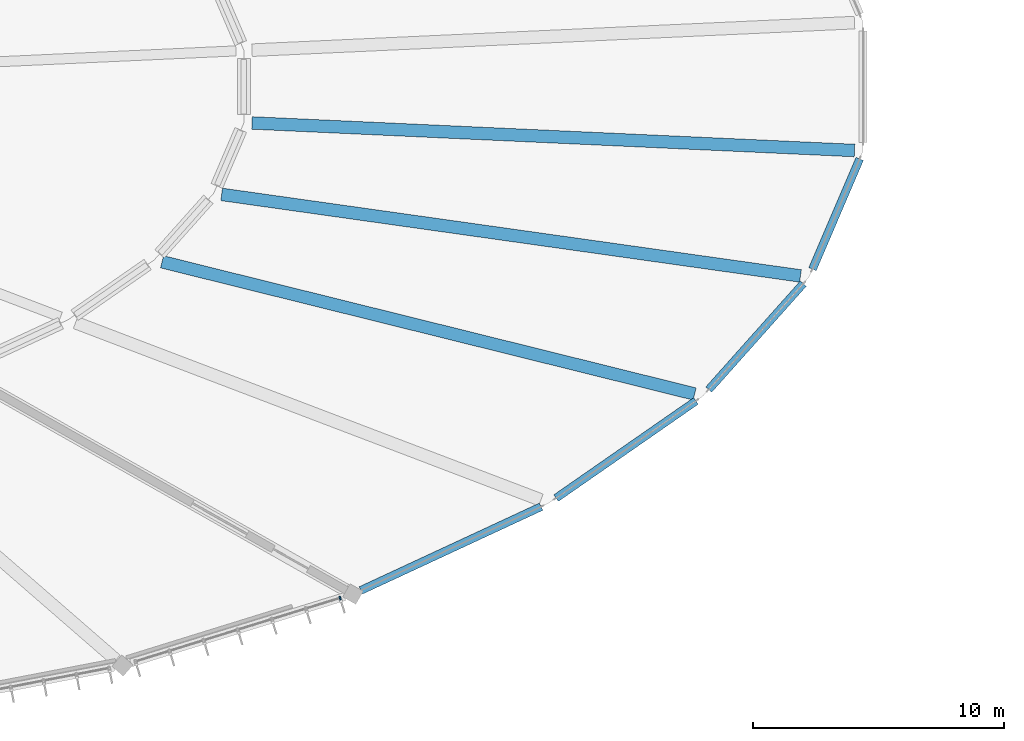
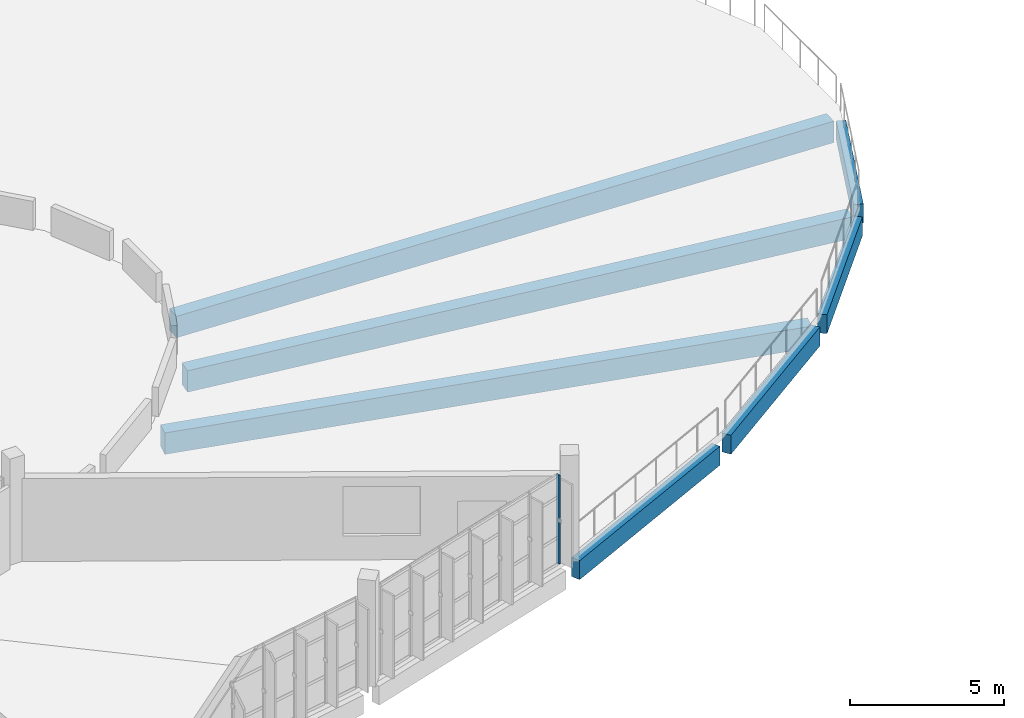
# One storey, part 63 of 142: 7 beams, 1 member, 1 element without a shape of its own.
"""IFC4 building model written with IfcOpenShell, lengths in metres."""

from ifc_helpers import new_model, si_unit, direction, frame, origin, origin_2d, place, context, subcontext, project, spatial, rectangle, extrude, material, layer, layer_set, material_profile, profile_set, type_object, element, aggregate, save


model = new_model("IFC4")

# Units and contexts
model_context = context("Model", 3, precision=1e-05, world=origin(), true_north=direction((0.0, 1.0)))
body_context = subcontext(model_context, "Body", "Model", "MODEL_VIEW")
ifc_project = project(units=[si_unit("LENGTHUNIT", "METRE"), si_unit("AREAUNIT", "SQUARE_METRE"), si_unit("VOLUMEUNIT", "CUBIC_METRE"), si_unit("PLANEANGLEUNIT", "RADIAN"), si_unit("MASSUNIT", "GRAM", prefix="KILO")], contexts=[model_context])

# Site, building, storey
site_placement = place(None, origin())
site = spatial("IfcSite", under=ifc_project, at=site_placement, CompositionType="ELEMENT")
building_placement = place(site_placement, origin())
building = spatial("IfcBuilding", under=site, at=building_placement, Name="Corvandel Quay Wholesale Market", CompositionType="ELEMENT")
storey_placement = place(building_placement, frame((0.0, 0.0, 10.800048828125)))
storey = spatial("IfcBuildingStorey", under=building, at=storey_placement, Name="L02", CompositionType="ELEMENT", Elevation=10.800048828125)

# Curtain wall, member
ifc_material_1 = material(Name="Bronze anodised aluminium and low-E insulated glazing", Category="aluminium")
ifc_layer = layer(ifc_material_1, 0.197998046875)
ifc_layer_set = layer_set([ifc_layer], Name="Bronze anodised aluminium and low-E insulated glazing")
curtain_wall_type = type_object("IfcCurtainWallType", Name="Stick Curtain Wall System CW09 H3810", PredefinedType="NOTDEFINED", material=ifc_layer_set)
curtain_wall_placement = place(storey_placement, origin())
curtain_wall = element("IfcCurtainWall", 1, at=curtain_wall_placement, inside=storey, type_object=curtain_wall_type, Name="Curtain Wall CW-0123", PredefinedType="NOTDEFINED")
ifc_material_2 = material(Name="Anodised aluminium 6063-T6", Category="aluminium")
ifc_material_profile_1 = material_profile(ifc_material_2, rectangle(XDim=0.06494140625, YDim=0.14990234375, at=origin_2d()), Name="ALU-MUL-65x150")
ifc_profile_set_1 = profile_set([ifc_material_profile_1], Name="Anodised aluminium 6063-T6")
member_type = type_object("IfcMemberType", Name="Curtain Wall Mullion ML02 65x150", PredefinedType="MULLION", material=ifc_profile_set_1)
member_placement = place(storey_placement, frame((149.182373046875, 95.64404296875, 0.0), z_axis=(0.0, 0.0, 1.0), x_axis=(0.955123398809, 0.296208192067, 0.0)))
member = element("IfcMember", 2, at=member_placement, type_object=member_type, Name="Mullion CW-0123-M06", PredefinedType="MULLION", context=body_context, shape_type="SweptSolid", body=[
    extrude(rectangle(XDim=0.06494140625, YDim=0.14990234375, at=origin_2d()), origin(), (0.0, 0.0, 1.0), 3.5),
])
aggregate(curtain_wall, [member])

# Beams
ifc_material_3 = material(Name="Precast concrete C45/55", Category="concrete")
ifc_material_profile_2 = material_profile(ifc_material_3, rectangle(XDim=0.5, YDim=0.85009765625, at=origin_2d()), Name="PC-GIR-500x850")
ifc_profile_set_2 = profile_set([ifc_material_profile_2], Name="Precast concrete C45/55")
beam_type_1 = type_object("IfcBeamType", Name="Fish Hall Radial Girder G04 500x850", PredefinedType="USERDEFINED", material=ifc_profile_set_2)
beam_1_placement = place(storey_placement, frame((163.292236328125, 103.76708984375, -0.7451171875), z_axis=(-0.970560046858, 0.240859285566, 0.0), x_axis=(-0.240859285566, -0.970560046858, 0.0)))
element("IfcBeam", 3, at=beam_1_placement, inside=storey, type_object=beam_type_1, Name="Beam BM-0746", ObjectType="GIRDER", PredefinedType="USERDEFINED", context=body_context, shape_type="SweptSolid", body=[
    extrude(rectangle(XDim=0.5, YDim=0.85009765625, at=origin_2d()), origin(), (0.0, 0.0, 1.0), 21.83349609375),
])
beam_2_placement = place(storey_placement, frame((167.50634765625, 108.464111328125, -0.7451171875), z_axis=(-0.990225913062, 0.139472725293, 0.0), x_axis=(-0.139472725293, -0.990225913062, 0.0)))
element("IfcBeam", 4, at=beam_2_placement, inside=storey, type_object=beam_type_1, Name="Beam BM-0753", ObjectType="GIRDER", PredefinedType="USERDEFINED", context=body_context, shape_type="SweptSolid", body=[
    extrude(rectangle(XDim=0.5, YDim=0.85009765625, at=origin_2d()), origin(), (0.0, 0.0, 1.0), 23.26171875),
])
beam_3_placement = place(storey_placement, frame((169.655517578125, 113.454833984375, -0.7451171875), z_axis=(-0.998955516786, 0.04569327612, 0.0), x_axis=(-0.04569327612, -0.998955516786, 0.0)))
element("IfcBeam", 5, at=beam_3_placement, inside=storey, type_object=beam_type_1, Name="Beam BM-0760", ObjectType="GIRDER", PredefinedType="USERDEFINED", context=body_context, shape_type="SweptSolid", body=[
    extrude(rectangle(XDim=0.5, YDim=0.85009765625, at=origin_2d()), origin(), (0.0, 0.0, 1.0), 24.0009765625),
])
ifc_material_profile_3 = material_profile(ifc_material_3, rectangle(XDim=0.320068359375, YDim=0.75, at=origin_2d()), Name="PC-SPN-320x750")
ifc_profile_set_3 = profile_set([ifc_material_profile_3], Name="Precast concrete C45/55")
beam_type_2 = type_object("IfcBeamType", Name="Pavilion Precast Spandrel SP02 320x750", PredefinedType="SPANDREL", material=ifc_profile_set_3)
beam_4_placement = place(storey_placement, frame((150.010986328125, 95.94921875, -0.695068359375), z_axis=(0.906974018607, 0.421186573351, 0.0), x_axis=(-0.421186573351, 0.906974018607, 0.0)))
element("IfcBeam", 6, at=beam_4_placement, inside=storey, type_object=beam_type_2, Name="Beam BM-0730", PredefinedType="SPANDREL", context=body_context, shape_type="SweptSolid", body=[
    extrude(rectangle(XDim=0.320068359375, YDim=0.75, at=origin_2d()), origin(), (0.0, 0.0, 1.0), 7.909912109375),
])
beam_5_placement = place(storey_placement, frame((157.78125, 99.622802734375, -0.695068359375), z_axis=(0.821255489916, 0.570560619289, 0.0), x_axis=(-0.570560619289, 0.821255489916, 0.0)))
element("IfcBeam", 7, at=beam_5_placement, inside=storey, type_object=beam_type_2, Name="Beam BM-0737", PredefinedType="SPANDREL", context=body_context, shape_type="SweptSolid", body=[
    extrude(rectangle(XDim=0.320068359375, YDim=0.75, at=origin_2d()), origin(), (0.0, 0.0, 1.0), 6.773193359375),
])
beam_6_placement = place(storey_placement, frame((163.856689453125, 103.94140625, -0.695068359375), z_axis=(0.665671423717, 0.746244970266, 0.0), x_axis=(-0.746244970266, 0.665671423717, 0.0)))
element("IfcBeam", 8, at=beam_6_placement, inside=storey, type_object=beam_type_2, Name="Beam BM-0744", PredefinedType="SPANDREL", context=body_context, shape_type="SweptSolid", body=[
    extrude(rectangle(XDim=0.320068359375, YDim=0.75, at=origin_2d()), origin(), (0.0, 0.0, 1.0), 5.651123046875),
])
beam_7_placement = place(storey_placement, frame((167.98388671875, 108.733154296875, -0.695068359375), z_axis=(0.393789694197, 0.919200563938, 0.0), x_axis=(-0.919200563938, 0.393789694197, 0.0)))
element("IfcBeam", 9, at=beam_7_placement, inside=storey, type_object=beam_type_2, Name="Beam BM-0751", PredefinedType="SPANDREL", context=body_context, shape_type="SweptSolid", body=[
    extrude(rectangle(XDim=0.320068359375, YDim=0.75, at=origin_2d()), origin(), (0.0, 0.0, 1.0), 4.7744140625),
])

save(model, "model.ifc")
